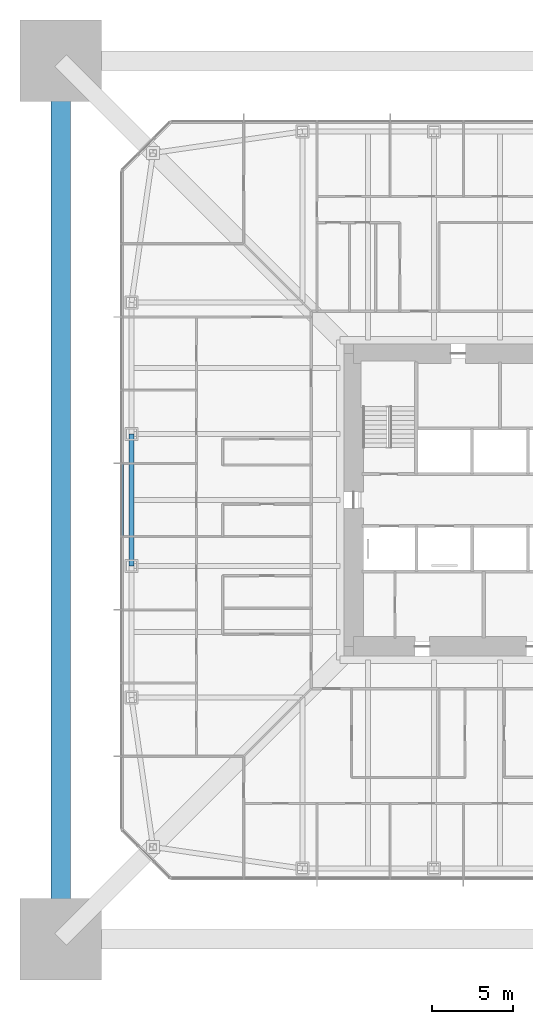
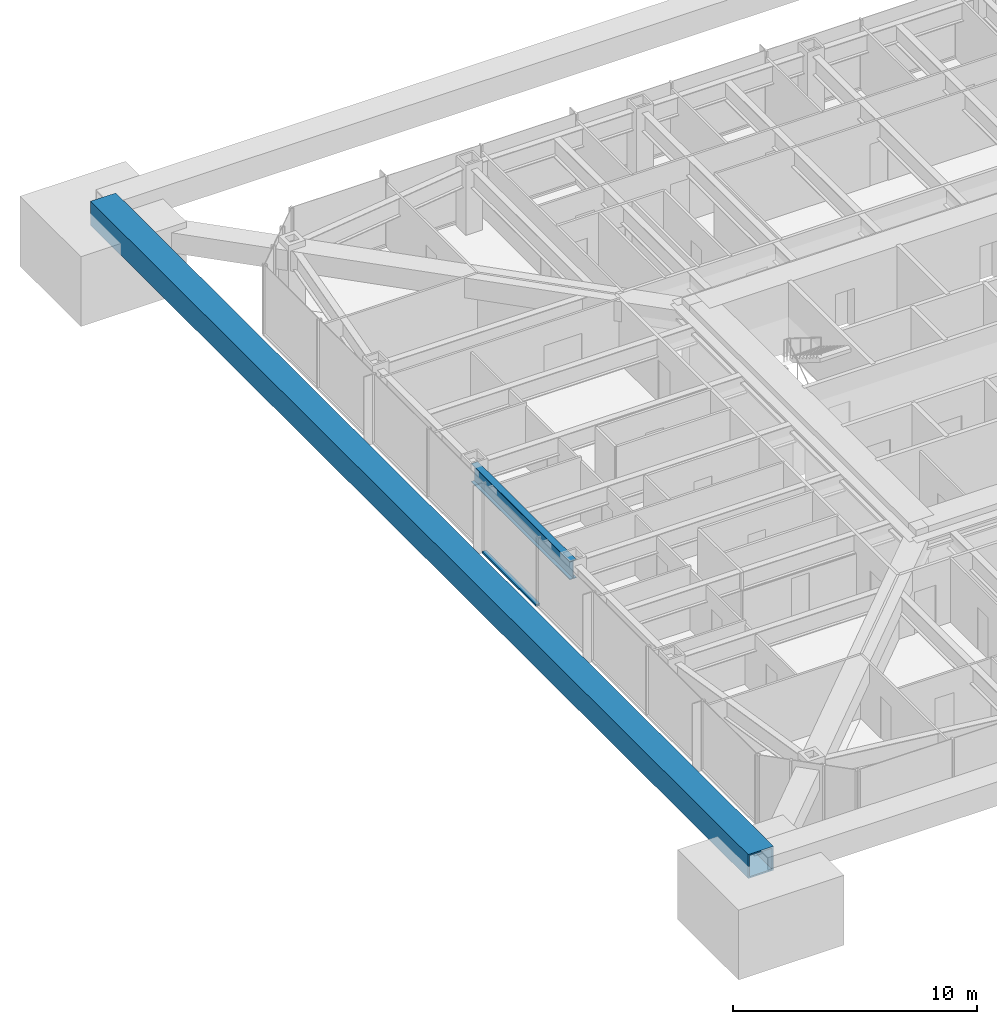
# One storey, part 5 of 32: 2 members, 1 beam, 1 element without a shape of its own.
"""IFC4 building model written with IfcOpenShell, lengths in metres."""

from ifc_helpers import new_model, si_unit, direction, frame, origin, origin_2d, place, context, subcontext, project, spatial, rectangle, hollow_rectangle, i_section, extrude, material, material_profile, profile_set, type_object, element, aggregate, save


model = new_model("IFC4")

# Units and contexts
model_context = context("Model", 3, precision=1e-05, world=origin(), true_north=direction((0.0, 1.0)))
body_context = subcontext(model_context, "Body", "Model", "MODEL_VIEW")
ifc_project = project(units=[si_unit("LENGTHUNIT", "METRE"), si_unit("AREAUNIT", "SQUARE_METRE"), si_unit("VOLUMEUNIT", "CUBIC_METRE"), si_unit("PLANEANGLEUNIT", "RADIAN"), si_unit("MASSUNIT", "GRAM", prefix="KILO")], contexts=[model_context])

# Site, building, storey
site_placement = place(None, origin())
site = spatial("IfcSite", under=ifc_project, at=site_placement, CompositionType="ELEMENT")
building_placement = place(site_placement, origin())
building = spatial("IfcBuilding", under=site, at=building_placement, Name="Iwan Alto Co-Living Towers", CompositionType="ELEMENT")
storey_placement = place(building_placement, frame((0.0, 0.0, 71.0)))
storey = spatial("IfcBuildingStorey", under=building, at=storey_placement, Name="L19", CompositionType="ELEMENT", Elevation=71.0)

# Curtain wall, member
ifc_material_1 = material(Name="Bronze aluminium unitised frame", Category="aluminium")
curtain_wall_type = type_object("IfcCurtainWallType", Name="CURTAIN WALL CW-A", PredefinedType="NOTDEFINED", material=ifc_material_1)
curtain_wall_placement = place(storey_placement, origin())
curtain_wall = element("IfcCurtainWall", 1, at=curtain_wall_placement, inside=storey, type_object=curtain_wall_type, Name="T1 curtain wall W L19", PredefinedType="NOTDEFINED")
ifc_material_2 = material(Name="Aluminium 6063-T6 bronze anodised", Category="aluminium")
ifc_material_profile_1 = material_profile(ifc_material_2, rectangle(XDim=0.199951171875, YDim=0.10009765625, at=origin_2d()), Name="AL 200X100")
ifc_profile_set_1 = profile_set([ifc_material_profile_1], Name="Aluminium 6063-T6 bronze anodised")
member_type_1 = type_object("IfcMemberType", Name="CW-A TRANSOM 200X100", PredefinedType="USERDEFINED", material=ifc_profile_set_1)
member_1_placement = place(storey_placement, frame((-23.25, 2.2099609375, 0.050048828125), z_axis=(0.0, -1.0, 0.0), x_axis=(1.0, 0.0, 0.0)))
member_1 = element("IfcMember", 2, at=member_1_placement, type_object=member_type_1, Name="CW-A transom 5.1", ObjectType="TRANSOM", PredefinedType="USERDEFINED", context=body_context, shape_type="SweptSolid", body=[
    extrude(rectangle(XDim=0.199951171875, YDim=0.10009765625, at=origin_2d()), origin(), (0.0, 0.0, 1.0), 4.419921875),
])
aggregate(curtain_wall, [member_1])

# Beam
ifc_material_3 = material(Name="Steel ASTM A992 Gr 50", Category="steel")
ifc_material_profile_2 = material_profile(ifc_material_3, i_section(OverallWidth=0.307373046875, OverallDepth=0.927001953125, WebThickness=0.01953125, FlangeThickness=0.031982421875, at=origin_2d()), Name="W36X194")
ifc_profile_set_2 = profile_set([ifc_material_profile_2], Name="Steel ASTM A992 Gr 50")
beam_type = type_object("IfcBeamType", Name="T1 BELT TRUSS CHORD W36X194", PredefinedType="BEAM", material=ifc_profile_set_2)
beam_placement = place(storey_placement, frame((-22.64990234375, 4.050048828125, 2.736328125), z_axis=(0.0, -1.0, 0.0), x_axis=(1.0, 0.0, 0.0)))
element("IfcBeam", 3, at=beam_placement, inside=storey, type_object=beam_type, Name="T1 edge beam W2 L20", PredefinedType="BEAM", context=body_context, shape_type="SweptSolid", body=[
    extrude(i_section(OverallWidth=0.307373046875, OverallDepth=0.927001953125, WebThickness=0.01953125, FlangeThickness=0.031982421875, at=origin_2d()), origin(), (0.0, 0.0, 1.0), 8.10009765625),
])

# Member
ifc_material_4 = material(Name="Steel ASTM A572 Gr 50", Category="steel")
ifc_material_profile_3 = material_profile(ifc_material_4, hollow_rectangle(XDim=1.199951171875, YDim=1.199951171875, WallThickness=0.070068359375, at=origin_2d()), Name="BOX 1200X1200X70")
ifc_profile_set_3 = profile_set([ifc_material_profile_3], Name="Steel ASTM A572 Gr 50")
member_type_2 = type_object("IfcMemberType", Name="T1 MEGA BELT TIE BOX 1200X1200X70", PredefinedType="STRUT", material=ifc_profile_set_3)
member_2_placement = place(storey_placement, frame((-27.0, 27.0, 3.5), z_axis=(0.0, -1.0, 0.0), x_axis=(1.0, 0.0, 0.0)))
element("IfcMember", 4, at=member_2_placement, inside=storey, type_object=member_type_2, Name="T1 mega belt tie W L20", PredefinedType="STRUT", context=body_context, shape_type="SweptSolid", body=[
    extrude(hollow_rectangle(XDim=1.199951171875, YDim=1.199951171875, WallThickness=0.070068359375, at=origin_2d()), origin(), (0.0, 0.0, 1.0), 54.0),
])

save(model, "model.ifc")
